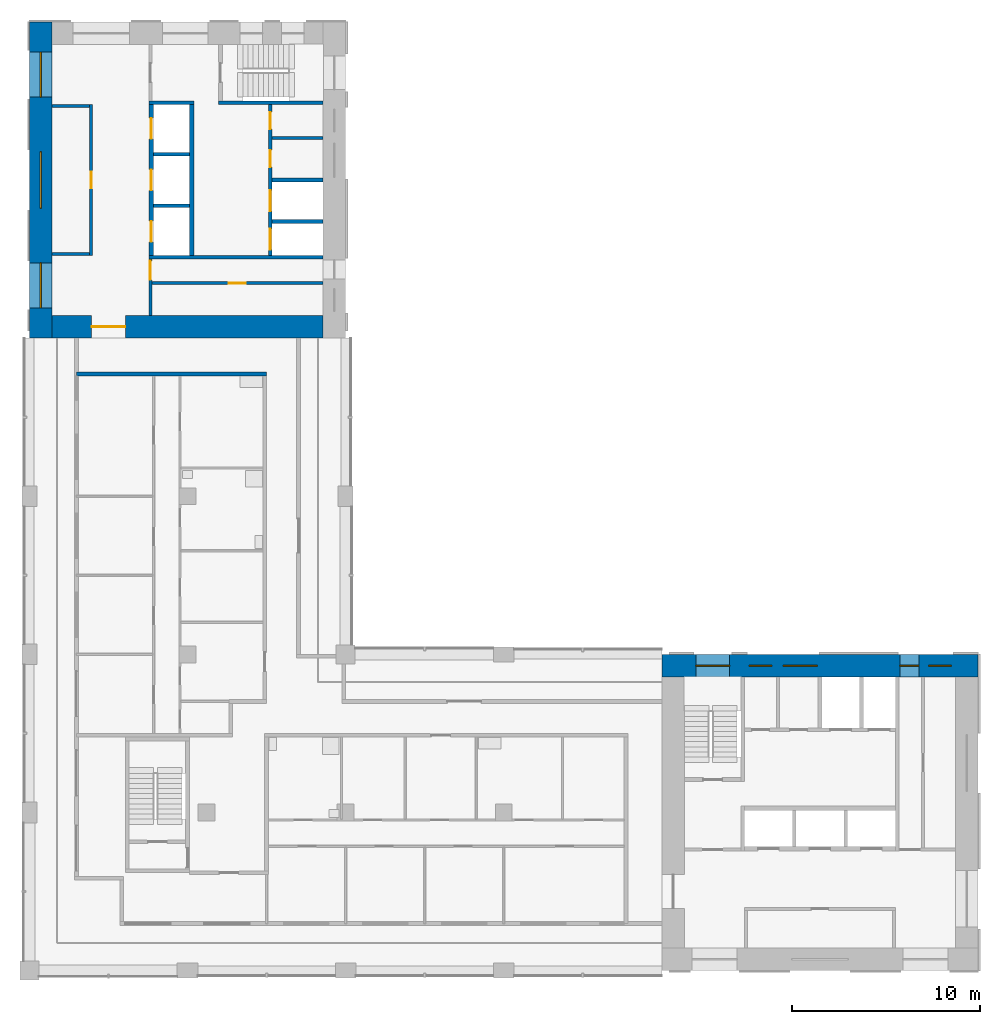
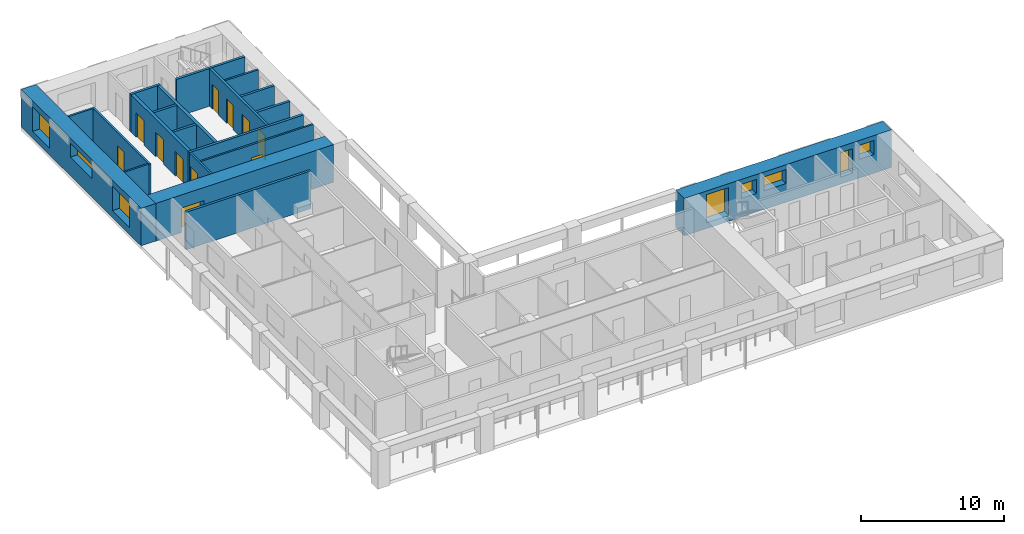
# One storey, part 5 of 9: 20 walls, 11 doors, 8 windows, 19 openings.
"""IFC4 building model written with IfcOpenShell, lengths in metres."""

from ifc_helpers import new_model, si_unit, direction, frame, frame_2d, origin, place, context, subcontext, project, spatial, rectangle, extrude, material, layer, layer_set, type_object, element, fill, save


model = new_model("IFC4")

# Units and contexts
model_context = context("Model", 3, precision=1e-05, world=origin(), true_north=direction((0.0, 1.0)))
body_context = subcontext(model_context, "Body", "Model", "MODEL_VIEW")
ifc_project = project(units=[si_unit("LENGTHUNIT", "METRE"), si_unit("AREAUNIT", "SQUARE_METRE"), si_unit("VOLUMEUNIT", "CUBIC_METRE"), si_unit("PLANEANGLEUNIT", "RADIAN"), si_unit("MASSUNIT", "GRAM", prefix="KILO")], contexts=[model_context])

# Site, building, storey
site_placement = place(None, origin())
site = spatial("IfcSite", under=ifc_project, at=site_placement, CompositionType="ELEMENT")
building_placement = place(site_placement, origin())
building = spatial("IfcBuilding", under=site, at=building_placement, Name="Vermilion Gate Residences", CompositionType="ELEMENT")
storey_placement = place(building_placement, frame((0.0, 0.0, 252.699951171875)))
storey = spatial("IfcBuildingStorey", under=building, at=storey_placement, Name="L66", CompositionType="ELEMENT", Elevation=252.699951171875)

# Walls
ifc_material_1 = material(Name="Masonry blockwork", Category="masonry")
ifc_layer_1 = layer(ifc_material_1, 0.14990234375)
ifc_layer_set_1 = layer_set([ifc_layer_1], Name="BLOCKWORK PARTITION 150 EI 120")
wall_type_1 = type_object("IfcWallType", Name="BLOCKWORK PARTITION 150 EI 120", PredefinedType="PARTITIONING", material=ifc_layer_set_1)
for number, where, z_axis, x_axis, name in (
    (1, (9.60009765625, 54.324951171875, 0.0), (0.0, 0.0, 1.0), (1.0, 0.0, 0.0), "Core room partition B66-RW-W"),
    (2, (9.60009765625, 46.47509765625, 0.0), (0.0, 0.0, 1.0), (1.0, 0.0, 0.0), "Core room partition B66-RW-E"),
):
    element("IfcWall", number, at=place(storey_placement, frame(where, z_axis=z_axis, x_axis=x_axis)), inside=storey, type_object=wall_type_1, Name=name, PredefinedType="PARTITIONING", context=body_context, shape_type="SweptSolid", body=[
        extrude(rectangle(XDim=2.0, YDim=0.14990234375, at=frame_2d((1.0, 0.0))), origin(), (0.0, 0.0, 1.0), 3.219970703125),
    ])

# Wall, opening, door
wall_1_placement = place(storey_placement, frame((11.675048828125, 54.39990234375, 0.0), z_axis=(0.0, 0.0, 1.0), x_axis=(0.0, -1.0, 0.0)))
wall_1 = element("IfcWall", 3, at=wall_1_placement, inside=storey, type_object=wall_type_1, Name="Core room partition B66-LR-F", PredefinedType="PARTITIONING", context=body_context, shape_type="SweptSolid", body=[
    extrude(rectangle(XDim=8.0, YDim=0.14990234375, at=frame_2d((4.0, 0.0))), origin(), (0.0, 0.0, 1.0), 3.219970703125),
])
opening_1_placement = place(wall_1_placement, frame((3.550048828125, 0.0, 0.0)))
opening_1 = element("IfcOpeningElement", 4, at=opening_1_placement, cuts=wall_1, Name="Opening DK66102", PredefinedType="OPENING", context=body_context, shape_type="SweptSolid", body=[
    extrude(rectangle(XDim=0.89990234375, YDim=2.10009765625, at=frame_2d((0.449951171875, 1.050048828125))), frame((0.0, 0.0849609375, 0.0), z_axis=(0.0, -1.0, 0.0), x_axis=(1.0, 0.0, 0.0)), (0.0, 0.0, 1.0), 0.169921875),
])
ifc_material_2 = material(Name="Steel", Category="steel")
door_type_1 = type_object("IfcDoorType", Name="SERVICE ROOM DOOR FD60 900 X 2100", OperationType="SINGLE_SWING_LEFT", PredefinedType="DOOR", material=ifc_material_2)
door_1_placement = place(opening_1_placement, frame((0.89990234375, 0.0, 0.0), z_axis=(0.0, 0.0, 1.0), x_axis=(-1.0, 0.0, 0.0)))
door_1 = element("IfcDoor", 5, at=door_1_placement, inside=storey, type_object=door_type_1, Name="Refuse room B66", OperationType="SINGLE_SWING_RIGHT", OverallHeight=2.10009765625, OverallWidth=0.89990234375, PredefinedType="DOOR", context=body_context, shape_type="SweptSolid", body=[
    extrude(rectangle(XDim=0.89990234375, YDim=2.10009765625, at=frame_2d((0.449951171875, 1.050048828125))), frame((0.0, 0.02490234375, 0.0), z_axis=(0.0, -1.0, 0.0), x_axis=(1.0, 0.0, 0.0)), (0.0, 0.0, 1.0), 0.050048828125),
])
fill(opening_1, door_1)

# Wall
wall_2_placement = place(storey_placement, frame((21.300048828125, 52.637451171875, 0.0), z_axis=(0.0, 0.0, 1.0), x_axis=(1.0, 0.0, 0.0)))
element("IfcWall", 6, at=wall_2_placement, inside=storey, type_object=wall_type_1, Name="Core room partition B66-NR-P0", PredefinedType="PARTITIONING", context=body_context, shape_type="SweptSolid", body=[
    extrude(rectangle(XDim=2.699951171875, YDim=0.14990234375, at=frame_2d((1.35009765625, 0.0))), origin(), (0.0, 0.0, 1.0), 3.219970703125),
])

# Wall, opening, door
wall_3_placement = place(storey_placement, frame((14.824951171875, 46.199951171875, 0.0), z_axis=(0.0, 0.0, 1.0), x_axis=(0.0, -1.0, 0.0)))
wall_3 = element("IfcWall", 7, at=wall_3_placement, inside=storey, type_object=wall_type_1, Name="Core room partition B66-ES-S", PredefinedType="PARTITIONING", context=body_context, shape_type="SweptSolid", body=[
    extrude(rectangle(XDim=3.0, YDim=0.14990234375, at=frame_2d((1.5, 0.0))), origin(), (0.0, 0.0, 1.0), 3.219970703125),
])
opening_2_placement = place(wall_3_placement, frame((0.10009765625, 0.0, 0.0)))
opening_2 = element("IfcOpeningElement", 8, at=opening_2_placement, cuts=wall_3, Name="Opening DK66112", PredefinedType="OPENING", context=body_context, shape_type="SweptSolid", body=[
    extrude(rectangle(XDim=1.0, YDim=2.10009765625, at=frame_2d((0.5, 1.050048828125))), frame((0.0, 0.0849609375, 0.0), z_axis=(0.0, -1.0, 0.0), x_axis=(1.0, 0.0, 0.0)), (0.0, 0.0, 1.0), 0.169921875),
])
ifc_material_3 = material(Name="Steel", Category="steel")
door_type_2 = type_object("IfcDoorType", Name="FIRE DOOR FD60 1000 X 2100", OperationType="SINGLE_SWING_LEFT", PredefinedType="DOOR", material=ifc_material_3)
door_2_placement = place(opening_2_placement, frame((1.0, 0.0, 0.0), z_axis=(0.0, 0.0, 1.0), x_axis=(-1.0, 0.0, 0.0)))
door_2 = element("IfcDoor", 9, at=door_2_placement, inside=storey, type_object=door_type_2, Name="Service corridor door B66", OperationType="SINGLE_SWING_LEFT", OverallHeight=2.10009765625, OverallWidth=1.0, PredefinedType="DOOR", context=body_context, shape_type="SweptSolid", body=[
    extrude(rectangle(XDim=1.0, YDim=2.10009765625, at=frame_2d((0.5, 1.050048828125))), frame((0.0, 0.02490234375, 0.0), z_axis=(0.0, -1.0, 0.0), x_axis=(1.0, 0.0, 0.0)), (0.0, 0.0, 1.0), 0.050048828125),
])
fill(opening_2, door_2)

wall_4_placement = place(storey_placement, frame((14.89990234375, 44.925048828125, 0.0), z_axis=(0.0, 0.0, 1.0), x_axis=(1.0, 0.0, 0.0)))
wall_4 = element("IfcWall", 10, at=wall_4_placement, inside=storey, type_object=wall_type_1, Name="Core room partition B66-ES-W", PredefinedType="PARTITIONING", context=body_context, shape_type="SweptSolid", body=[
    extrude(rectangle(XDim=9.10009765625, YDim=0.14990234375, at=frame_2d((4.550048828125, 0.0))), origin(), (0.0, 0.0, 1.0), 3.219970703125),
])
opening_3_placement = place(wall_4_placement, frame((4.10009765625, 0.0, 0.0)))
opening_3 = element("IfcOpeningElement", 11, at=opening_3_placement, cuts=wall_4, Name="Opening DK66113", PredefinedType="OPENING", context=body_context, shape_type="SweptSolid", body=[
    extrude(rectangle(XDim=0.89990234375, YDim=2.10009765625, at=frame_2d((0.449951171875, 1.050048828125))), frame((0.0, 0.0849609375, 0.0), z_axis=(0.0, -1.0, 0.0), x_axis=(1.0, 0.0, 0.0)), (0.0, 0.0, 1.0), 0.169921875),
])
door_3_placement = place(opening_3_placement, frame((0.89990234375, 0.0, 0.0), z_axis=(0.0, 0.0, 1.0), x_axis=(-1.0, 0.0, 0.0)))
door_3 = element("IfcDoor", 12, at=door_3_placement, inside=storey, type_object=door_type_1, Name="Parcel room B66", OperationType="SINGLE_SWING_RIGHT", OverallHeight=2.10009765625, OverallWidth=0.89990234375, PredefinedType="DOOR", context=body_context, shape_type="SweptSolid", body=[
    extrude(rectangle(XDim=0.89990234375, YDim=2.10009765625, at=frame_2d((0.449951171875, 1.050048828125))), frame((0.0, 0.02490234375, 0.0), z_axis=(0.0, -1.0, 0.0), x_axis=(1.0, 0.0, 0.0)), (0.0, 0.0, 1.0), 0.050048828125),
])
fill(opening_3, door_3)

# Walls
ifc_material_4 = material(Name="Fire-rated plasterboard on steel studs", Category="steel")
ifc_layer_2 = layer(ifc_material_4, 0.199951171875)
ifc_layer_set_2 = layer_set([ifc_layer_2], Name="PARTY WALL 200 EI 120")
wall_type_2 = type_object("IfcWallType", Name="PARTY WALL 200 EI 120", PredefinedType="PARTITIONING", material=ifc_layer_set_2)
wall_5_placement = place(storey_placement, frame((10.89990234375, 40.10009765625, 0.0), z_axis=(0.0, 0.0, 1.0), x_axis=(1.0, 0.0, 0.0)))
element("IfcWall", 13, at=wall_5_placement, inside=storey, type_object=wall_type_2, Name="Party and corridor wall", PredefinedType="PARTITIONING", context=body_context, shape_type="SweptSolid", body=[
    extrude(rectangle(XDim=10.10009765625, YDim=0.199951171875, at=frame_2d((5.050048828125, 0.0))), origin(), (0.0, 0.0, 1.0), 3.219970703125),
])
ifc_material_5 = material(Name="Concrete C60", Category="concrete")
ifc_layer_3 = layer(ifc_material_5, 0.199951171875)
ifc_layer_set_3 = layer_set([ifc_layer_3], Name="RC CORE INTERNAL WALL 200 C60")
wall_type_3 = type_object("IfcWallType", Name="RC CORE INTERNAL WALL 200 C60", PredefinedType="SHEAR", material=ifc_layer_set_3)
for number, where, z_axis, x_axis, name in (
    (14, (15.0, 51.7666015625, 0.0), (0.0, 0.0, 1.0), (1.0, 0.0, 0.0), "Core internal wall B66-HR-D1"),
    (15, (15.0, 49.033447265625, 0.0), (0.0, 0.0, 1.0), (1.0, 0.0, 0.0), "Core internal wall B66-HR-D2"),
):
    element("IfcWall", number, at=place(storey_placement, frame(where, z_axis=z_axis, x_axis=x_axis)), inside=storey, type_object=wall_type_3, Name=name, PredefinedType="SHEAR", context=body_context, shape_type="SweptSolid", body=[
        extrude(rectangle(XDim=1.89990234375, YDim=0.199951171875, at=frame_2d((0.949951171875, 0.0))), origin(), (0.0, 0.0, 1.0), 3.219970703125),
    ])
for number, where, z_axis, x_axis, name in (
    (16, (21.300048828125, 50.39990234375, 0.0), (0.0, 0.0, 1.0), (1.0, 0.0, 0.0), "Core internal wall B66-FF-D0"),
    (17, (21.300048828125, 48.199951171875, 0.0), (0.0, 0.0, 1.0), (1.0, 0.0, 0.0), "Core internal wall B66-FF-D1"),
):
    element("IfcWall", number, at=place(storey_placement, frame(where, z_axis=z_axis, x_axis=x_axis)), inside=storey, type_object=wall_type_3, Name=name, PredefinedType="SHEAR", context=body_context, shape_type="SweptSolid", body=[
        extrude(rectangle(XDim=2.699951171875, YDim=0.199951171875, at=frame_2d((1.35009765625, 0.0))), origin(), (0.0, 0.0, 1.0), 3.219970703125),
    ])

# Wall, openings, doors
wall_6_placement = place(storey_placement, frame((21.199951171875, 54.39990234375, 0.0), z_axis=(0.0, 0.0, 1.0), x_axis=(0.0, -1.0, 0.0)))
wall_6 = element("IfcWall", 18, at=wall_6_placement, inside=storey, type_object=wall_type_3, Name="Core internal wall B66-FF-F", PredefinedType="SHEAR", context=body_context, shape_type="SweptSolid", body=[
    extrude(rectangle(XDim=8.0, YDim=0.199951171875, at=frame_2d((4.0, 0.0))), origin(), (0.0, 0.0, 1.0), 3.219970703125),
])
opening_4_placement = place(wall_6_placement, frame((0.393798828125, 0.0, 0.0)))
opening_4 = element("IfcOpeningElement", 19, at=opening_4_placement, cuts=wall_6, Name="Opening DK66106", PredefinedType="OPENING", context=body_context, shape_type="SweptSolid", body=[
    extrude(rectangle(XDim=0.89990234375, YDim=2.10009765625, at=frame_2d((0.449951171875, 1.050048828125))), frame((0.0, 0.10986328125, 0.0), z_axis=(0.0, -1.0, 0.0), x_axis=(1.0, 0.0, 0.0)), (0.0, 0.0, 1.0), 0.219970703125),
])
opening_5_placement = place(wall_6_placement, frame((2.418701171875, 0.0, 0.0)))
opening_5 = element("IfcOpeningElement", 20, at=opening_5_placement, cuts=wall_6, Name="Opening DK66107", PredefinedType="OPENING", context=body_context, shape_type="SweptSolid", body=[
    extrude(rectangle(XDim=0.89990234375, YDim=2.10009765625, at=frame_2d((0.449951171875, 1.050048828125))), frame((0.0, 0.10986328125, 0.0), z_axis=(0.0, -1.0, 0.0), x_axis=(1.0, 0.0, 0.0)), (0.0, 0.0, 1.0), 0.219970703125),
])
opening_6_placement = place(wall_6_placement, frame((4.550048828125, 0.0, 0.0)))
opening_6 = element("IfcOpeningElement", 21, at=opening_6_placement, cuts=wall_6, Name="Opening LD", PredefinedType="OPENING", context=body_context, shape_type="SweptSolid", body=[
    extrude(rectangle(XDim=1.10009765625, YDim=2.10009765625, at=frame_2d((0.550048828125, 1.050048828125))), frame((0.0, 0.10986328125, 0.0), z_axis=(0.0, -1.0, 0.0), x_axis=(1.0, 0.0, 0.0)), (0.0, 0.0, 1.0), 0.219970703125),
])
opening_7_placement = place(wall_6_placement, frame((6.60009765625, 0.0, 0.0)))
opening_7 = element("IfcOpeningElement", 22, at=opening_7_placement, cuts=wall_6, Name="Opening LD", PredefinedType="OPENING", context=body_context, shape_type="SweptSolid", body=[
    extrude(rectangle(XDim=1.10009765625, YDim=2.10009765625, at=frame_2d((0.550048828125, 1.050048828125))), frame((0.0, 0.10986328125, 0.0), z_axis=(0.0, -1.0, 0.0), x_axis=(1.0, 0.0, 0.0)), (0.0, 0.0, 1.0), 0.219970703125),
])
ifc_material_6 = material(Name="Stainless steel", Category="steel")
door_type_3 = type_object("IfcDoorType", Name="LIFT LANDING DOOR E60 1100 X 2100", OperationType="DOUBLE_DOOR_SLIDING", PredefinedType="DOOR", material=ifc_material_6)
door_4_placement = place(opening_6_placement, origin())
door_4 = element("IfcDoor", 23, at=door_4_placement, inside=storey, type_object=door_type_3, Name="Lift landing door LFB1", OperationType="DOUBLE_DOOR_SLIDING", OverallHeight=2.10009765625, OverallWidth=1.10009765625, PredefinedType="DOOR", context=body_context, shape_type="SweptSolid", body=[
    extrude(rectangle(XDim=1.10009765625, YDim=2.10009765625, at=frame_2d((0.550048828125, 1.050048828125))), frame((0.0, 0.02490234375, 0.0), z_axis=(0.0, -1.0, 0.0), x_axis=(1.0, 0.0, 0.0)), (0.0, 0.0, 1.0), 0.050048828125),
])
fill(opening_6, door_4)
door_5_placement = place(opening_7_placement, origin())
door_5 = element("IfcDoor", 24, at=door_5_placement, inside=storey, type_object=door_type_3, Name="Lift landing door LCB1", OperationType="DOUBLE_DOOR_SLIDING", OverallHeight=2.10009765625, OverallWidth=1.10009765625, PredefinedType="DOOR", context=body_context, shape_type="SweptSolid", body=[
    extrude(rectangle(XDim=1.10009765625, YDim=2.10009765625, at=frame_2d((0.550048828125, 1.050048828125))), frame((0.0, 0.02490234375, 0.0), z_axis=(0.0, -1.0, 0.0), x_axis=(1.0, 0.0, 0.0)), (0.0, 0.0, 1.0), 0.050048828125),
])
fill(opening_7, door_5)
door_6_placement = place(opening_4_placement, origin())
door_6 = element("IfcDoor", 25, at=door_6_placement, inside=storey, type_object=door_type_1, Name="Communications riser B66", OperationType="SINGLE_SWING_RIGHT", OverallHeight=2.10009765625, OverallWidth=0.89990234375, PredefinedType="DOOR", context=body_context, shape_type="SweptSolid", body=[
    extrude(rectangle(XDim=0.89990234375, YDim=2.10009765625, at=frame_2d((0.449951171875, 1.050048828125))), frame((0.0, 0.02490234375, 0.0), z_axis=(0.0, -1.0, 0.0), x_axis=(1.0, 0.0, 0.0)), (0.0, 0.0, 1.0), 0.050048828125),
])
fill(opening_4, door_6)
door_7_placement = place(opening_5_placement, origin())
door_7 = element("IfcDoor", 26, at=door_7_placement, inside=storey, type_object=door_type_1, Name="Refuse room B66", OperationType="SINGLE_SWING_RIGHT", OverallHeight=2.10009765625, OverallWidth=0.89990234375, PredefinedType="DOOR", context=body_context, shape_type="SweptSolid", body=[
    extrude(rectangle(XDim=0.89990234375, YDim=2.10009765625, at=frame_2d((0.449951171875, 1.050048828125))), frame((0.0, 0.02490234375, 0.0), z_axis=(0.0, -1.0, 0.0), x_axis=(1.0, 0.0, 0.0)), (0.0, 0.0, 1.0), 0.050048828125),
])
fill(opening_5, door_7)

# Walls
wall_7_placement = place(storey_placement, frame((14.75, 54.5, 0.0), z_axis=(0.0, 0.0, 1.0), x_axis=(1.0, 0.0, 0.0)))
element("IfcWall", 27, at=wall_7_placement, inside=storey, type_object=wall_type_3, Name="Core internal wall B66-WDIV1", PredefinedType="SHEAR", context=body_context, shape_type="SweptSolid", body=[
    extrude(rectangle(XDim=2.39990234375, YDim=0.199951171875, at=frame_2d((1.199951171875, 0.0))), origin(), (0.0, 0.0, 1.0), 3.219970703125),
])
wall_8_placement = place(storey_placement, frame((18.449951171875, 54.5, 0.0), z_axis=(0.0, 0.0, 1.0), x_axis=(1.0, 0.0, 0.0)))
element("IfcWall", 28, at=wall_8_placement, inside=storey, type_object=wall_type_3, Name="Core internal wall B66-WDIV2", PredefinedType="SHEAR", context=body_context, shape_type="SweptSolid", body=[
    extrude(rectangle(XDim=5.550048828125, YDim=0.199951171875, at=frame_2d((2.77490234375, 0.0))), origin(), (0.0, 0.0, 1.0), 3.219970703125),
])
wall_9_placement = place(storey_placement, frame((14.75, 46.300048828125, 0.0), z_axis=(0.0, 0.0, 1.0), x_axis=(1.0, 0.0, 0.0)))
element("IfcWall", 29, at=wall_9_placement, inside=storey, type_object=wall_type_3, Name="Core internal wall B66-EDIV", PredefinedType="SHEAR", context=body_context, shape_type="SweptSolid", body=[
    extrude(rectangle(XDim=9.25, YDim=0.199951171875, at=frame_2d((4.625, 0.0))), origin(), (0.0, 0.0, 1.0), 3.219970703125),
])

# Wall, opening, door
ifc_material_7 = material(Name="Concrete C50", Category="concrete")
ifc_layer_4 = layer(ifc_material_7, 1.199951171875)
ifc_layer_set_4 = layer_set([ifc_layer_4], Name="RC CORE WALL 1200 C50")
wall_type_4 = type_object("IfcWallType", Name="RC CORE WALL 1200 C50", PredefinedType="SHEAR", material=ifc_layer_set_4)
wall_10_placement = place(storey_placement, frame((9.60009765625, 42.60009765625, 0.0), z_axis=(0.0, 0.0, 1.0), x_axis=(1.0, 0.0, 0.0)))
wall_10 = element("IfcWall", 30, at=wall_10_placement, inside=storey, type_object=wall_type_4, Name="Core wall B66-OUT-BK", PredefinedType="SHEAR", context=body_context, shape_type="SweptSolid", body=[
    extrude(rectangle(XDim=14.39990234375, YDim=1.199951171875, at=frame_2d((7.199951171875, 0.0))), origin(), (0.0, 0.0, 1.0), 3.219970703125),
])
opening_8_placement = place(wall_10_placement, frame((2.10009765625, 0.0, 0.0)))
opening_8 = element("IfcOpeningElement", 31, at=opening_8_placement, cuts=wall_10, Name="Opening DK66101", PredefinedType="OPENING", context=body_context, shape_type="SweptSolid", body=[
    extrude(rectangle(XDim=1.800048828125, YDim=2.10009765625, at=frame_2d((0.89990234375, 1.050048828125))), frame((0.0, 0.60986328125, 0.0), z_axis=(0.0, -1.0, 0.0), x_axis=(1.0, 0.0, 0.0)), (0.0, 0.0, 1.0), 1.219970703125),
])
ifc_material_8 = material(Name="Steel", Category="steel")
door_type_4 = type_object("IfcDoorType", Name="CORE LOBBY DOOR FD60 1800 X 2100", OperationType="DOUBLE_DOOR_SINGLE_SWING", PredefinedType="DOOR", material=ifc_material_8)
door_8_placement = place(opening_8_placement, frame((1.800048828125, 0.0, 0.0), z_axis=(0.0, 0.0, 1.0), x_axis=(-1.0, 0.0, 0.0)))
door_8 = element("IfcDoor", 32, at=door_8_placement, inside=storey, type_object=door_type_4, Name="Core lobby door B66", OperationType="DOUBLE_DOOR_SINGLE_SWING", OverallHeight=2.10009765625, OverallWidth=1.800048828125, PredefinedType="DOOR", context=body_context, shape_type="SweptSolid", body=[
    extrude(rectangle(XDim=1.800048828125, YDim=2.10009765625, at=frame_2d((0.89990234375, 1.050048828125))), frame((0.0, 0.02490234375, 0.0), z_axis=(0.0, -1.0, 0.0), x_axis=(1.0, 0.0, 0.0)), (0.0, 0.0, 1.0), 0.050048828125),
])
fill(opening_8, door_8)

# Wall, openings, windows
ifc_material_9 = material(Name="Concrete C50 red-oxide pigmented", Category="concrete")
ifc_layer_5 = layer(ifc_material_9, 1.199951171875)
ifc_layer_set_5 = layer_set([ifc_layer_5], Name="RC CORE WALL 1200 C50 RED OXIDE")
wall_type_5 = type_object("IfcWallType", Name="RC CORE WALL 1200 C50 RED OXIDE", PredefinedType="SHEAR", material=ifc_layer_set_5)
wall_11_placement = place(storey_placement, frame((42.0, 24.60009765625, 0.0), z_axis=(0.0, 0.0, 1.0), x_axis=(1.0, 0.0, 0.0)))
wall_11 = element("IfcWall", 33, at=wall_11_placement, inside=storey, type_object=wall_type_5, Name="Core wall A66-OUT-B1", PredefinedType="SHEAR", context=body_context, shape_type="SweptSolid", body=[
    extrude(rectangle(XDim=16.800048828125, YDim=1.199951171875, at=frame_2d((8.39990234375, 0.0))), origin(), (0.0, 0.0, 1.0), 3.219970703125),
])
opening_9_placement = place(wall_11_placement, frame((1.800048828125, 0.0, 0.5)))
opening_9 = element("IfcOpeningElement", 34, at=opening_9_placement, cuts=wall_11, Name="Opening WKA6604", PredefinedType="OPENING", context=body_context, shape_type="SweptSolid", body=[
    extrude(rectangle(XDim=1.800048828125, YDim=2.39990234375, at=frame_2d((0.89990234375, 1.199951171875))), frame((0.0, 0.60986328125, 0.0), z_axis=(0.0, -1.0, 0.0), x_axis=(1.0, 0.0, 0.0)), (0.0, 0.0, 1.0), 1.219970703125),
])
opening_10_placement = place(wall_11_placement, frame((4.643798828125, 0.0, 1.60009765625)))
opening_10 = element("IfcOpeningElement", 35, at=opening_10_placement, cuts=wall_11, Name="Opening WKA6605", PredefinedType="OPENING", context=body_context, shape_type="SweptSolid", body=[
    extrude(rectangle(XDim=1.199951171875, YDim=1.199951171875, at=frame_2d((0.60009765625, 0.60009765625))), frame((0.0, 0.60986328125, 0.0), z_axis=(0.0, -1.0, 0.0), x_axis=(1.0, 0.0, 0.0)), (0.0, 0.0, 1.0), 1.219970703125),
])
opening_11_placement = place(wall_11_placement, frame((6.449951171875, 0.0, 1.60009765625)))
opening_11 = element("IfcOpeningElement", 36, at=opening_11_placement, cuts=wall_11, Name="Opening WKA6606", PredefinedType="OPENING", context=body_context, shape_type="SweptSolid", body=[
    extrude(rectangle(XDim=1.800048828125, YDim=1.199951171875, at=frame_2d((0.89990234375, 0.60009765625))), frame((0.0, 0.60986328125, 0.0), z_axis=(0.0, -1.0, 0.0), x_axis=(1.0, 0.0, 0.0)), (0.0, 0.0, 1.0), 1.219970703125),
])
opening_12_placement = place(wall_11_placement, frame((12.64990234375, 0.0, 0.60009765625)))
opening_12 = element("IfcOpeningElement", 37, at=opening_12_placement, cuts=wall_11, Name="Opening WKA6607", PredefinedType="OPENING", context=body_context, shape_type="SweptSolid", body=[
    extrude(rectangle(XDim=1.0, YDim=2.10009765625, at=frame_2d((0.5, 1.050048828125))), frame((0.0, 0.60986328125, 0.0), z_axis=(0.0, -1.0, 0.0), x_axis=(1.0, 0.0, 0.0)), (0.0, 0.0, 1.0), 1.219970703125),
])
opening_13_placement = place(wall_11_placement, frame((14.175048828125, 0.0, 1.60009765625)))
opening_13 = element("IfcOpeningElement", 38, at=opening_13_placement, cuts=wall_11, Name="Opening WKA6608", PredefinedType="OPENING", context=body_context, shape_type="SweptSolid", body=[
    extrude(rectangle(XDim=1.199951171875, YDim=1.199951171875, at=frame_2d((0.60009765625, 0.60009765625))), frame((0.0, 0.60986328125, 0.0), z_axis=(0.0, -1.0, 0.0), x_axis=(1.0, 0.0, 0.0)), (0.0, 0.0, 1.0), 1.219970703125),
])
ifc_material_10 = material(Name="Aluminium and clear glass", Category="aluminium")
window_type_1 = type_object("IfcWindowType", Name="CORE CORRIDOR WINDOW 1000 X 2100", PartitioningType="SINGLE_PANEL", PredefinedType="WINDOW", material=ifc_material_10)
window_1_placement = place(opening_12_placement, origin())
window_1 = element("IfcWindow", 39, at=window_1_placement, inside=storey, type_object=window_type_1, Name="Core corridor window", OverallHeight=2.10009765625, OverallWidth=1.0, PartitioningType="SINGLE_PANEL", PredefinedType="WINDOW", context=body_context, shape_type="SweptSolid", body=[
    extrude(rectangle(XDim=1.0, YDim=2.10009765625, at=frame_2d((0.5, 1.050048828125))), frame((0.0, 0.030029296875, 0.0), z_axis=(0.0, -1.0, 0.0), x_axis=(1.0, 0.0, 0.0)), (0.0, 0.0, 1.0), 0.06005859375),
])
fill(opening_12, window_1)
ifc_material_11 = material(Name="Aluminium frame with louvre blades", Category="aluminium")
window_type_2 = type_object("IfcWindowType", Name="CORE LOUVRE 1200 X 1200", PartitioningType="SINGLE_PANEL", PredefinedType="WINDOW", material=ifc_material_11)
window_2_placement = place(opening_10_placement, origin())
window_2 = element("IfcWindow", 40, at=window_2_placement, inside=storey, type_object=window_type_2, Name="Core louvre", OverallHeight=1.199951171875, OverallWidth=1.199951171875, PartitioningType="SINGLE_PANEL", PredefinedType="WINDOW", context=body_context, shape_type="SweptSolid", body=[
    extrude(rectangle(XDim=1.199951171875, YDim=1.199951171875, at=frame_2d((0.60009765625, 0.60009765625))), frame((0.0, 0.030029296875, 0.0), z_axis=(0.0, -1.0, 0.0), x_axis=(1.0, 0.0, 0.0)), (0.0, 0.0, 1.0), 0.06005859375),
])
fill(opening_10, window_2)
window_3_placement = place(opening_13_placement, origin())
window_3 = element("IfcWindow", 41, at=window_3_placement, inside=storey, type_object=window_type_2, Name="Core louvre", OverallHeight=1.199951171875, OverallWidth=1.199951171875, PartitioningType="SINGLE_PANEL", PredefinedType="WINDOW", context=body_context, shape_type="SweptSolid", body=[
    extrude(rectangle(XDim=1.199951171875, YDim=1.199951171875, at=frame_2d((0.60009765625, 0.60009765625))), frame((0.0, 0.030029296875, 0.0), z_axis=(0.0, -1.0, 0.0), x_axis=(1.0, 0.0, 0.0)), (0.0, 0.0, 1.0), 0.06005859375),
])
fill(opening_13, window_3)
ifc_material_12 = material(Name="Aluminium frame with louvre blades", Category="aluminium")
window_type_3 = type_object("IfcWindowType", Name="CORE LOUVRE 1800 X 1200", PartitioningType="SINGLE_PANEL", PredefinedType="WINDOW", material=ifc_material_12)
window_4_placement = place(opening_11_placement, origin())
window_4 = element("IfcWindow", 42, at=window_4_placement, inside=storey, type_object=window_type_3, Name="Core louvre", OverallHeight=1.199951171875, OverallWidth=1.800048828125, PartitioningType="SINGLE_PANEL", PredefinedType="WINDOW", context=body_context, shape_type="SweptSolid", body=[
    extrude(rectangle(XDim=1.800048828125, YDim=1.199951171875, at=frame_2d((0.89990234375, 0.60009765625))), frame((0.0, 0.030029296875, 0.0), z_axis=(0.0, -1.0, 0.0), x_axis=(1.0, 0.0, 0.0)), (0.0, 0.0, 1.0), 0.06005859375),
])
fill(opening_11, window_4)
ifc_material_13 = material(Name="Aluminium and clear glass", Category="aluminium")
window_type_4 = type_object("IfcWindowType", Name="CORE STAIR WINDOW 1800 X 2400", PartitioningType="SINGLE_PANEL", PredefinedType="WINDOW", material=ifc_material_13)
window_5_placement = place(opening_9_placement, origin())
window_5 = element("IfcWindow", 43, at=window_5_placement, inside=storey, type_object=window_type_4, Name="Core stair window", OverallHeight=2.39990234375, OverallWidth=1.800048828125, PartitioningType="SINGLE_PANEL", PredefinedType="WINDOW", context=body_context, shape_type="SweptSolid", body=[
    extrude(rectangle(XDim=1.800048828125, YDim=2.39990234375, at=frame_2d((0.89990234375, 1.199951171875))), frame((0.0, 0.030029296875, 0.0), z_axis=(0.0, -1.0, 0.0), x_axis=(1.0, 0.0, 0.0)), (0.0, 0.0, 1.0), 0.06005859375),
])
fill(opening_9, window_5)

wall_12_placement = place(storey_placement, frame((9.0, 58.800048828125, 0.0), z_axis=(0.0, 0.0, 1.0), x_axis=(0.0, -1.0, 0.0)))
wall_12 = element("IfcWall", 44, at=wall_12_placement, inside=storey, type_object=wall_type_5, Name="Core wall B66-OUT-B0", PredefinedType="SHEAR", context=body_context, shape_type="SweptSolid", body=[
    extrude(rectangle(XDim=16.800048828125, YDim=1.199951171875, at=frame_2d((8.39990234375, 0.0))), origin(), (0.0, 0.0, 1.0), 3.219970703125),
])
opening_14_placement = place(wall_12_placement, frame((1.60009765625, 0.0, 0.60009765625)))
opening_14 = element("IfcOpeningElement", 45, at=opening_14_placement, cuts=wall_12, Name="Opening WKB6601", PredefinedType="OPENING", context=body_context, shape_type="SweptSolid", body=[
    extrude(rectangle(XDim=2.39990234375, YDim=2.10009765625, at=frame_2d((1.199951171875, 1.050048828125))), frame((0.0, 0.60986328125, 0.0), z_axis=(0.0, -1.0, 0.0), x_axis=(1.0, 0.0, 0.0)), (0.0, 0.0, 1.0), 1.219970703125),
])
opening_15_placement = place(wall_12_placement, frame((6.89990234375, 0.0, 1.60009765625)))
opening_15 = element("IfcOpeningElement", 46, at=opening_15_placement, cuts=wall_12, Name="Opening WKB6602", PredefinedType="OPENING", context=body_context, shape_type="SweptSolid", body=[
    extrude(rectangle(XDim=3.0, YDim=1.199951171875, at=frame_2d((1.5, 0.60009765625))), frame((0.0, 0.60986328125, 0.0), z_axis=(0.0, -1.0, 0.0), x_axis=(1.0, 0.0, 0.0)), (0.0, 0.0, 1.0), 1.219970703125),
])
opening_16_placement = place(wall_12_placement, frame((12.800048828125, 0.0, 0.60009765625)))
opening_16 = element("IfcOpeningElement", 47, at=opening_16_placement, cuts=wall_12, Name="Opening WKB6603", PredefinedType="OPENING", context=body_context, shape_type="SweptSolid", body=[
    extrude(rectangle(XDim=2.39990234375, YDim=2.10009765625, at=frame_2d((1.199951171875, 1.050048828125))), frame((0.0, 0.60986328125, 0.0), z_axis=(0.0, -1.0, 0.0), x_axis=(1.0, 0.0, 0.0)), (0.0, 0.0, 1.0), 1.219970703125),
])
ifc_material_14 = material(Name="Aluminium and clear glass", Category="aluminium")
window_type_5 = type_object("IfcWindowType", Name="CORE LOBBY WINDOW 2400 X 2100", PartitioningType="SINGLE_PANEL", PredefinedType="WINDOW", material=ifc_material_14)
window_6_placement = place(opening_14_placement, origin())
window_6 = element("IfcWindow", 48, at=window_6_placement, inside=storey, type_object=window_type_5, Name="Core lobby window", OverallHeight=2.10009765625, OverallWidth=2.39990234375, PartitioningType="SINGLE_PANEL", PredefinedType="WINDOW", context=body_context, shape_type="SweptSolid", body=[
    extrude(rectangle(XDim=2.39990234375, YDim=2.10009765625, at=frame_2d((1.199951171875, 1.050048828125))), frame((0.0, 0.030029296875, 0.0), z_axis=(0.0, -1.0, 0.0), x_axis=(1.0, 0.0, 0.0)), (0.0, 0.0, 1.0), 0.06005859375),
])
fill(opening_14, window_6)
window_7_placement = place(opening_16_placement, origin())
window_7 = element("IfcWindow", 49, at=window_7_placement, inside=storey, type_object=window_type_5, Name="Core lobby window", OverallHeight=2.10009765625, OverallWidth=2.39990234375, PartitioningType="SINGLE_PANEL", PredefinedType="WINDOW", context=body_context, shape_type="SweptSolid", body=[
    extrude(rectangle(XDim=2.39990234375, YDim=2.10009765625, at=frame_2d((1.199951171875, 1.050048828125))), frame((0.0, 0.030029296875, 0.0), z_axis=(0.0, -1.0, 0.0), x_axis=(1.0, 0.0, 0.0)), (0.0, 0.0, 1.0), 0.06005859375),
])
fill(opening_16, window_7)
ifc_material_15 = material(Name="Aluminium frame with louvre blades", Category="aluminium")
window_type_6 = type_object("IfcWindowType", Name="CORE LOUVRE 3000 X 1200", PartitioningType="SINGLE_PANEL", PredefinedType="WINDOW", material=ifc_material_15)
window_8_placement = place(opening_15_placement, origin())
window_8 = element("IfcWindow", 50, at=window_8_placement, inside=storey, type_object=window_type_6, Name="Core louvre", OverallHeight=1.199951171875, OverallWidth=3.0, PartitioningType="SINGLE_PANEL", PredefinedType="WINDOW", context=body_context, shape_type="SweptSolid", body=[
    extrude(rectangle(XDim=3.0, YDim=1.199951171875, at=frame_2d((1.5, 0.60009765625))), frame((0.0, 0.030029296875, 0.0), z_axis=(0.0, -1.0, 0.0), x_axis=(1.0, 0.0, 0.0)), (0.0, 0.0, 1.0), 0.06005859375),
])
fill(opening_15, window_8)

# Wall, openings, doors
ifc_material_16 = material(Name="Concrete C60", Category="concrete")
ifc_layer_6 = layer(ifc_material_16, 0.25)
ifc_layer_set_6 = layer_set([ifc_layer_6], Name="RC LIFT SHAFT WALL 250 C60")
wall_type_6 = type_object("IfcWallType", Name="RC LIFT SHAFT WALL 250 C60", PredefinedType="SHEAR", material=ifc_layer_set_6)
wall_13_placement = place(storey_placement, frame((14.875, 54.39990234375, 0.0), z_axis=(0.0, 0.0, 1.0), x_axis=(0.0, -1.0, 0.0)))
wall_13 = element("IfcWall", 51, at=wall_13_placement, inside=storey, type_object=wall_type_6, Name="Lift shaft wall B66-HR-F", PredefinedType="SHEAR", context=body_context, shape_type="SweptSolid", body=[
    extrude(rectangle(XDim=8.0, YDim=0.25, at=frame_2d((4.0, 0.0))), origin(), (0.0, 0.0, 1.0), 3.219970703125),
])
opening_17_placement = place(wall_13_placement, frame((0.716552734375, 0.0, 0.0)))
opening_17 = element("IfcOpeningElement", 52, at=opening_17_placement, cuts=wall_13, Name="Opening LD", PredefinedType="OPENING", context=body_context, shape_type="SweptSolid", body=[
    extrude(rectangle(XDim=1.10009765625, YDim=2.10009765625, at=frame_2d((0.550048828125, 1.050048828125))), frame((0.0, 0.135009765625, 0.0), z_axis=(0.0, -1.0, 0.0), x_axis=(1.0, 0.0, 0.0)), (0.0, 0.0, 1.0), 0.27001953125),
])
opening_18_placement = place(wall_13_placement, frame((3.449951171875, 0.0, 0.0)))
opening_18 = element("IfcOpeningElement", 53, at=opening_18_placement, cuts=wall_13, Name="Opening LD", PredefinedType="OPENING", context=body_context, shape_type="SweptSolid", body=[
    extrude(rectangle(XDim=1.10009765625, YDim=2.10009765625, at=frame_2d((0.550048828125, 1.050048828125))), frame((0.0, 0.135009765625, 0.0), z_axis=(0.0, -1.0, 0.0), x_axis=(1.0, 0.0, 0.0)), (0.0, 0.0, 1.0), 0.27001953125),
])
opening_19_placement = place(wall_13_placement, frame((6.183349609375, 0.0, 0.0)))
opening_19 = element("IfcOpeningElement", 54, at=opening_19_placement, cuts=wall_13, Name="Opening LD", PredefinedType="OPENING", context=body_context, shape_type="SweptSolid", body=[
    extrude(rectangle(XDim=1.10009765625, YDim=2.10009765625, at=frame_2d((0.550048828125, 1.050048828125))), frame((0.0, 0.135009765625, 0.0), z_axis=(0.0, -1.0, 0.0), x_axis=(1.0, 0.0, 0.0)), (0.0, 0.0, 1.0), 0.27001953125),
])
door_9_placement = place(opening_17_placement, origin())
door_9 = element("IfcDoor", 55, at=door_9_placement, inside=storey, type_object=door_type_3, Name="Lift landing door HRB1", OperationType="DOUBLE_DOOR_SLIDING", OverallHeight=2.10009765625, OverallWidth=1.10009765625, PredefinedType="DOOR", context=body_context, shape_type="SweptSolid", body=[
    extrude(rectangle(XDim=1.10009765625, YDim=2.10009765625, at=frame_2d((0.550048828125, 1.050048828125))), frame((0.0, 0.02490234375, 0.0), z_axis=(0.0, -1.0, 0.0), x_axis=(1.0, 0.0, 0.0)), (0.0, 0.0, 1.0), 0.050048828125),
])
fill(opening_17, door_9)
door_10_placement = place(opening_18_placement, origin())
door_10 = element("IfcDoor", 56, at=door_10_placement, inside=storey, type_object=door_type_3, Name="Lift landing door HRB2", OperationType="DOUBLE_DOOR_SLIDING", OverallHeight=2.10009765625, OverallWidth=1.10009765625, PredefinedType="DOOR", context=body_context, shape_type="SweptSolid", body=[
    extrude(rectangle(XDim=1.10009765625, YDim=2.10009765625, at=frame_2d((0.550048828125, 1.050048828125))), frame((0.0, 0.02490234375, 0.0), z_axis=(0.0, -1.0, 0.0), x_axis=(1.0, 0.0, 0.0)), (0.0, 0.0, 1.0), 0.050048828125),
])
fill(opening_18, door_10)
door_11_placement = place(opening_19_placement, origin())
door_11 = element("IfcDoor", 57, at=door_11_placement, inside=storey, type_object=door_type_3, Name="Lift landing door HRB3", OperationType="DOUBLE_DOOR_SLIDING", OverallHeight=2.10009765625, OverallWidth=1.10009765625, PredefinedType="DOOR", context=body_context, shape_type="SweptSolid", body=[
    extrude(rectangle(XDim=1.10009765625, YDim=2.10009765625, at=frame_2d((0.550048828125, 1.050048828125))), frame((0.0, 0.02490234375, 0.0), z_axis=(0.0, -1.0, 0.0), x_axis=(1.0, 0.0, 0.0)), (0.0, 0.0, 1.0), 0.050048828125),
])
fill(opening_19, door_11)

# Wall
wall_14_placement = place(storey_placement, frame((17.02490234375, 54.39990234375, 0.0), z_axis=(0.0, 0.0, 1.0), x_axis=(0.0, -1.0, 0.0)))
element("IfcWall", 58, at=wall_14_placement, inside=storey, type_object=wall_type_6, Name="Lift shaft wall B66-HR-B", PredefinedType="SHEAR", context=body_context, shape_type="SweptSolid", body=[
    extrude(rectangle(XDim=8.0, YDim=0.25, at=frame_2d((4.0, 0.0))), origin(), (0.0, 0.0, 1.0), 3.219970703125),
])

save(model, "model.ifc")
